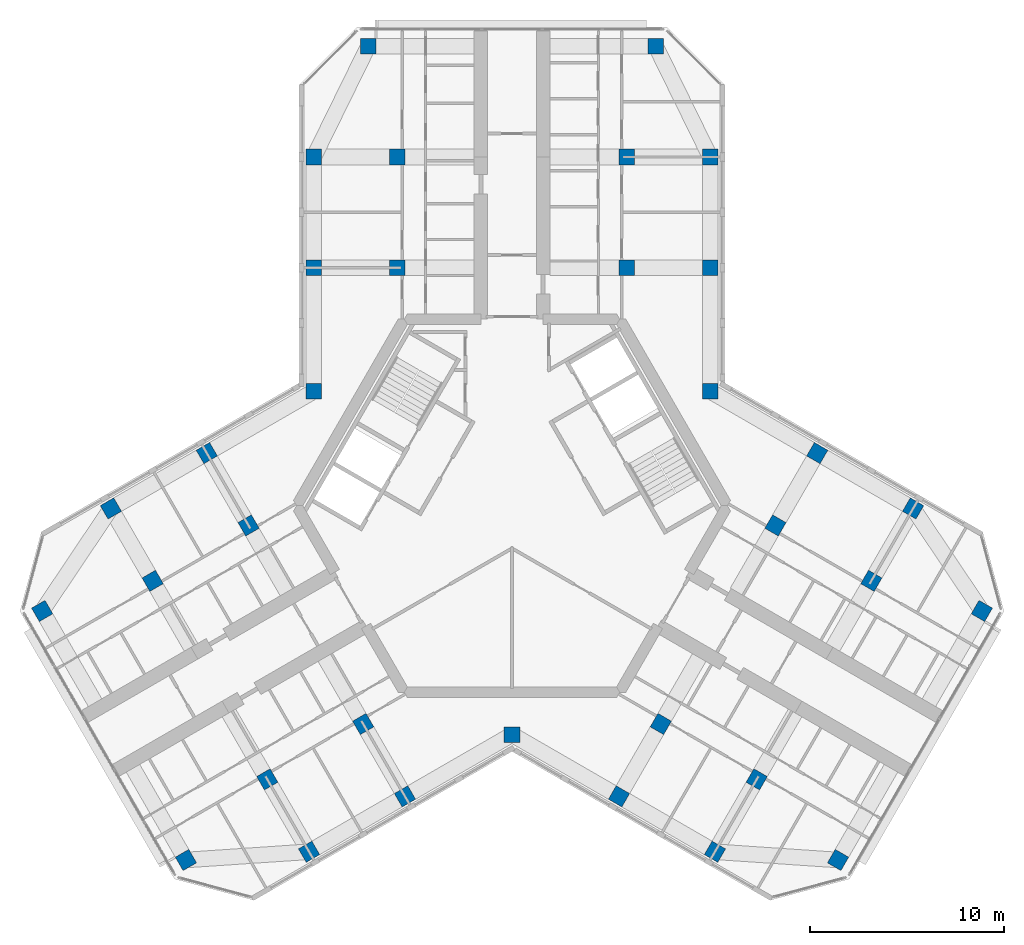
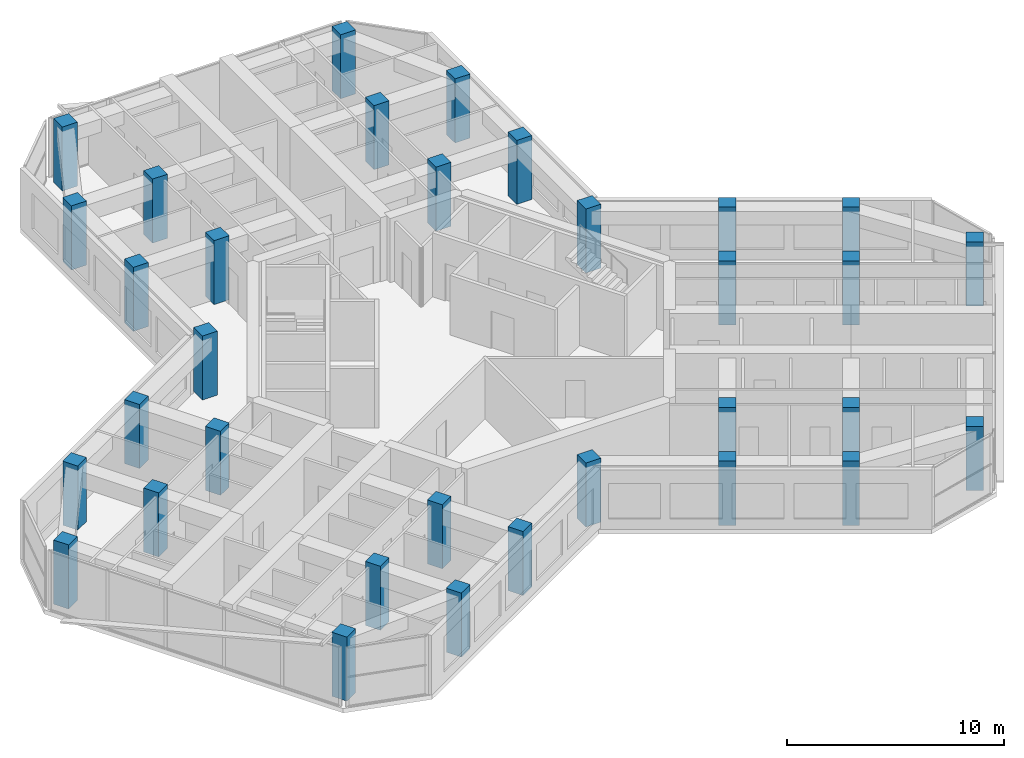
# One storey, part 1 of 14: 33 columns.
"""IFC4 building model written with IfcOpenShell, lengths in metres."""

from ifc_helpers import new_model, si_unit, direction, frame, origin, origin_2d, place, context, subcontext, project, spatial, rectangle, extrude, material, material_profile, profile_set, type_object, element, save


model = new_model("IFC4")

# Units and contexts
model_context = context("Model", 3, precision=1e-05, world=origin(), true_north=direction((0.0, 1.0)))
body_context = subcontext(model_context, "Body", "Model", "MODEL_VIEW")
ifc_project = project(units=[si_unit("LENGTHUNIT", "METRE"), si_unit("AREAUNIT", "SQUARE_METRE"), si_unit("VOLUMEUNIT", "CUBIC_METRE"), si_unit("PLANEANGLEUNIT", "RADIAN"), si_unit("MASSUNIT", "GRAM", prefix="KILO")], contexts=[model_context])

# Site, building, storey
site_placement = place(None, origin())
site = spatial("IfcSite", under=ifc_project, at=site_placement, CompositionType="ELEMENT")
building_placement = place(site_placement, origin())
building = spatial("IfcBuilding", under=site, at=building_placement, Name="Kosmar Iwan School Tower", CompositionType="ELEMENT")
storey_placement = place(building_placement, frame((0.0, 0.0, 271.0)))
storey = spatial("IfcBuildingStorey", under=building, at=storey_placement, Name="L68", CompositionType="ELEMENT", Elevation=271.0)

# Columns
ifc_material_1 = material(Name="Concrete C50/60", Category="concrete")
ifc_material_profile_1 = material_profile(ifc_material_1, rectangle(XDim=0.800048828125, YDim=0.800048828125, at=origin_2d()), Name="RC 800x800 + HE 300 M")
ifc_profile_set_1 = profile_set([ifc_material_profile_1], Name="Concrete C50/60")
column_type_1 = type_object("IfcColumnType", Name="Composite column 800x800 HE 300 M", PredefinedType="COLUMN", material=ifc_profile_set_1)
for number, where, z_axis, x_axis, name in (
    (1, (-10.199951171875, 12.25, 0.0), (0.0, 0.0, 1.0), (0.0, 1.0, 0.0), "Column AL1 L68"),
    (2, (-10.199951171875, 17.949951171875, 0.0), (0.0, 0.0, 1.0), (0.0, 1.0, 0.0), "Column AL2 L68"),
    (3, (-7.39990234375, 23.64990234375, 0.0), (0.0, 0.0, 1.0), (0.0, 1.0, 0.0), "Column ALTIP L68"),
    (4, (10.199951171875, 12.25, 0.0), (0.0, 0.0, 1.0), (0.0, 1.0, 0.0), "Column AR1 L68"),
    (5, (10.199951171875, 17.949951171875, 0.0), (0.0, 0.0, 1.0), (0.0, 1.0, 0.0), "Column AR2 L68"),
    (6, (7.39990234375, 23.64990234375, 0.0), (0.0, 0.0, 1.0), (0.0, 1.0, 0.0), "Column ARTIP L68"),
    (7, (-5.5087890625, -14.95849609375, 0.0), (0.0, 0.0, 1.0), (-0.866025403784, -0.5, 0.0), "Column BL1 L68"),
    (8, (-10.445068359375, -17.808349609375, 0.0), (0.0, 0.0, 1.0), (-0.866025403784, -0.5, 0.0), "Column BL2 L68"),
    (9, (-16.781494140625, -18.233642578125, 0.0), (0.0, 0.0, 1.0), (-0.866025403784, -0.5, 0.0), "Column BLTIP L68"),
    (10, (-15.708740234375, 2.70849609375, 0.0), (0.0, 0.0, 1.0), (-0.866025403784, -0.5, 0.0), "Column BR1 L68"),
    (11, (-20.645263671875, -0.1416015625, 0.0), (0.0, 0.0, 1.0), (-0.866025403784, -0.5, 0.0), "Column BR2 L68"),
    (12, (-24.181396484375, -5.41650390625, 0.0), (0.0, 0.0, 1.0), (-0.866025403784, -0.5, 0.0), "Column BRTIP L68"),
    (13, (15.708740234375, 2.70849609375, 0.0), (0.0, 0.0, 1.0), (0.866025403784, -0.5, 0.0), "Column CL1 L68"),
    (14, (20.645263671875, -0.1416015625, 0.0), (0.0, 0.0, 1.0), (0.866025403784, -0.5, 0.0), "Column CL2 L68"),
    (15, (24.181396484375, -5.41650390625, 0.0), (0.0, 0.0, 1.0), (0.866025403784, -0.5, 0.0), "Column CLTIP L68"),
    (16, (5.5087890625, -14.95849609375, 0.0), (0.0, 0.0, 1.0), (0.866025403784, -0.5, 0.0), "Column CR1 L68"),
    (17, (10.445068359375, -17.808349609375, 0.0), (0.0, 0.0, 1.0), (0.866025403784, -0.5, 0.0), "Column CR2 L68"),
    (18, (16.781494140625, -18.233642578125, 0.0), (0.0, 0.0, 1.0), (0.866025403784, -0.5, 0.0), "Column CRTIP L68"),
    (19, (-10.199951171875, 5.888916015625, 0.0), (0.0, 0.0, 1.0), (1.0, 0.0, 0.0), "Column RAB L68"),
    (20, (10.199951171875, 5.888916015625, 0.0), (0.0, 0.0, 1.0), (1.0, 0.0, 0.0), "Column RAC L68"),
    (21, (0.0, -11.77783203125, 0.0), (0.0, 0.0, 1.0), (1.0, 0.0, 0.0), "Column RBC L68"),
):
    element("IfcColumn", number, at=place(storey_placement, frame(where, z_axis=z_axis, x_axis=x_axis)), inside=storey, type_object=column_type_1, Name=name, PredefinedType="COLUMN", context=body_context, shape_type="SweptSolid", body=[
        extrude(rectangle(XDim=0.800048828125, YDim=0.800048828125, at=origin_2d()), origin(), (0.0, 0.0, 1.0), 3.60009765625),
    ])
ifc_material_2 = material(Name="Concrete C50/60", Category="concrete")
ifc_material_profile_2 = material_profile(ifc_material_2, rectangle(XDim=0.800048828125, YDim=0.800048828125, at=origin_2d()), Name="RC 800x800")
ifc_profile_set_2 = profile_set([ifc_material_profile_2], Name="Concrete C50/60")
column_type_2 = type_object("IfcColumnType", Name="RC interior column 800x800", PredefinedType="COLUMN", material=ifc_profile_set_2)
for number, where, z_axis, x_axis, name in (
    (22, (-5.89990234375, 12.25, 0.0), (0.0, 0.0, 1.0), (0.0, 1.0, 0.0), "Interior column ALI1 L68"),
    (23, (-5.89990234375, 17.949951171875, 0.0), (0.0, 0.0, 1.0), (0.0, 1.0, 0.0), "Interior column ALI2 L68"),
    (24, (5.89990234375, 12.25, 0.0), (0.0, 0.0, 1.0), (0.0, 1.0, 0.0), "Interior column ARI1 L68"),
    (25, (5.89990234375, 17.949951171875, 0.0), (0.0, 0.0, 1.0), (0.0, 1.0, 0.0), "Interior column ARI2 L68"),
    (26, (-7.65869140625, -11.234619140625, 0.0), (0.0, 0.0, 1.0), (-0.866025403784, -0.5, 0.0), "Interior column BLI1 L68"),
    (27, (-12.59521484375, -14.08447265625, 0.0), (0.0, 0.0, 1.0), (-0.866025403784, -0.5, 0.0), "Interior column BLI2 L68"),
    (28, (-13.558837890625, -1.015380859375, 0.0), (0.0, 0.0, 1.0), (-0.866025403784, -0.5, 0.0), "Interior column BRI1 L68"),
    (29, (-18.4951171875, -3.865478515625, 0.0), (0.0, 0.0, 1.0), (-0.866025403784, -0.5, 0.0), "Interior column BRI2 L68"),
    (30, (13.558837890625, -1.015380859375, 0.0), (0.0, 0.0, 1.0), (0.866025403784, -0.5, 0.0), "Interior column CLI1 L68"),
    (31, (18.4951171875, -3.865478515625, 0.0), (0.0, 0.0, 1.0), (0.866025403784, -0.5, 0.0), "Interior column CLI2 L68"),
    (32, (7.65869140625, -11.234619140625, 0.0), (0.0, 0.0, 1.0), (0.866025403784, -0.5, 0.0), "Interior column CRI1 L68"),
    (33, (12.59521484375, -14.08447265625, 0.0), (0.0, 0.0, 1.0), (0.866025403784, -0.5, 0.0), "Interior column CRI2 L68"),
):
    element("IfcColumn", number, at=place(storey_placement, frame(where, z_axis=z_axis, x_axis=x_axis)), inside=storey, type_object=column_type_2, Name=name, PredefinedType="COLUMN", context=body_context, shape_type="SweptSolid", body=[
        extrude(rectangle(XDim=0.800048828125, YDim=0.800048828125, at=origin_2d()), origin(), (0.0, 0.0, 1.0), 3.60009765625),
    ])

save(model, "model.ifc")
